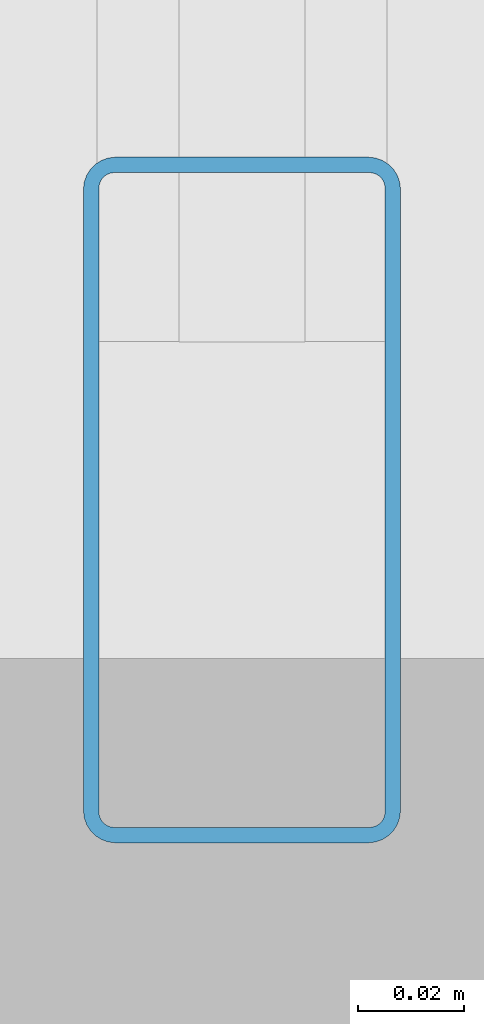
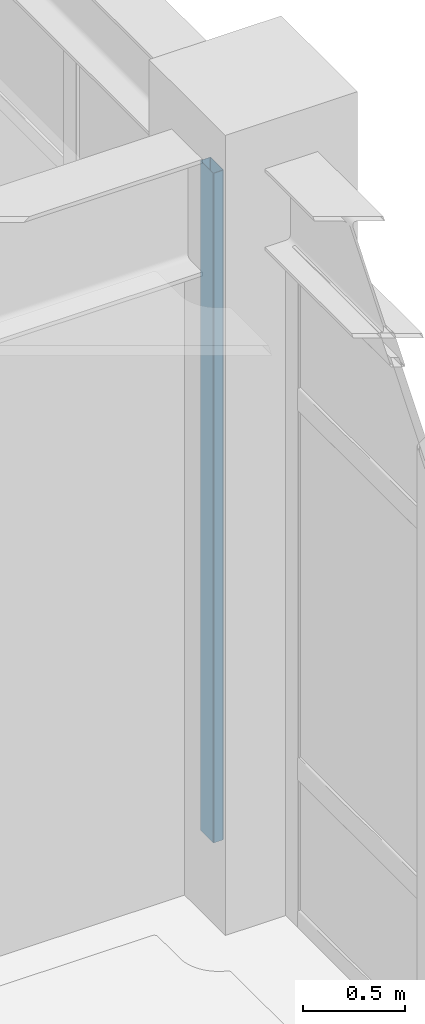
# One storey, part 47 of 98: 1 member, 1 element without a shape of its own.
"""IFC4 building model written with IfcOpenShell, lengths in metres."""

import ifcopenshell
import ifcopenshell.guid

model = None  # the IFC model being written
_history = None  # IfcOwnerHistory: only IFC2X3 demands one
_inside = {}  # id of a spatial element -> (the spatial element, [elements in it])
_under = {}  # id of a project, library or spatial element -> (it, [spatial elements below it])
_declared = {}  # id of a project -> (the project, [libraries it declares])
_typed = {}  # id of a type object -> (the type object, [elements of that type])
_made_of = {}  # id of a material, layer set ... -> (it, [elements and type objects made of it])


def new_model(schema):
    """Start an empty IFC model of exactly this schema.

    Asked for "IFC4X3", IfcOpenShell would pick the latest addendum, in which some entities
    have other attributes; the version numbers below select the first issue.
    IFC2X3 requires an IfcOwnerHistory on every rooted entity: one is made here for all.
    """
    global model, _history
    if schema == "IFC4X3":
        model = ifcopenshell.file(schema_version=(4, 3, 0, 0))
    else:
        model = ifcopenshell.file(schema=schema)
    _inside.clear()
    _under.clear()
    _declared.clear()
    _typed.clear()
    _made_of.clear()
    _history = None
    if model.schema == "IFC2X3":
        org = make("IfcOrganization", Name="unknown")
        user = make(
            "IfcPersonAndOrganization",
            ThePerson=make("IfcPerson", FamilyName="unknown"),
            TheOrganization=org,
        )
        app = make(
            "IfcApplication",
            ApplicationDeveloper=org,
            Version="unknown",
            ApplicationFullName="unknown",
            ApplicationIdentifier="unknown",
        )
        _history = make(
            "IfcOwnerHistory",
            OwningUser=user,
            OwningApplication=app,
            ChangeAction="ADDED",
            CreationDate=0,
        )
    return model


def make(cls, **values):
    """One entity of the class cls with the attributes given. An attribute that is None is left unset."""
    return model.create_entity(
        cls, **{name: value for name, value in values.items() if value is not None}
    )


def rooted(cls, **values):
    """An entity with a GlobalId (a new one), such as an element, a storey or a relation."""
    return make(cls, GlobalId=ifcopenshell.guid.new(), OwnerHistory=_history, **values)


def si_unit(unit_type, name, prefix=None):
    """IfcSIUnit, for example si_unit("LENGTHUNIT", "METRE", prefix="MILLI")."""
    return make("IfcSIUnit", UnitType=unit_type, Prefix=prefix, Name=name)


def assignment(units):
    """IfcUnitAssignment: the units of a project."""
    return None if units is None else make("IfcUnitAssignment", Units=units)


def point(xyz):
    """IfcCartesianPoint."""
    return None if xyz is None else make("IfcCartesianPoint", Coordinates=xyz)


def direction(xyz):
    """IfcDirection."""
    return None if xyz is None else make("IfcDirection", DirectionRatios=xyz)


def frame(location, z_axis=None, x_axis=None):
    """IfcAxis2Placement3D, a coordinate frame: its origin and axes. An axis left out is left unset."""
    return make(
        "IfcAxis2Placement3D",
        Location=point(location),
        Axis=direction(z_axis),
        RefDirection=direction(x_axis),
    )


def frame_2d(location, x_axis=None):
    """IfcAxis2Placement2D, a coordinate frame in the plane: its origin and x axis."""
    return make(
        "IfcAxis2Placement2D", Location=point(location), RefDirection=direction(x_axis)
    )


def origin():
    """The frame at (0, 0, 0) with its axes left unset."""
    return frame((0.0, 0.0, 0.0))


def origin_2d():
    """The frame at (0, 0) in the plane with its x axis left unset."""
    return frame_2d((0.0, 0.0))


def place(relative_to, where):
    """IfcLocalPlacement: puts the frame where relative to a parent placement (None: the world)."""
    return make(
        "IfcLocalPlacement", PlacementRelTo=relative_to, RelativePlacement=where
    )


def context(
    kind, dimensions, precision=None, world=None, true_north=None, identifier=None
):
    """IfcGeometricRepresentationContext, for example the 3D "Model" context."""
    return make(
        "IfcGeometricRepresentationContext",
        ContextIdentifier=identifier,
        ContextType=kind,
        CoordinateSpaceDimension=dimensions,
        Precision=precision,
        WorldCoordinateSystem=world,
        TrueNorth=true_north,
    )


def subcontext(parent, identifier, kind, view, scale=None):
    """IfcGeometricRepresentationSubContext, for example "Body" below "Model"."""
    return make(
        "IfcGeometricRepresentationSubContext",
        ContextIdentifier=identifier,
        ContextType=kind,
        ParentContext=parent,
        TargetScale=scale,
        TargetView=view,
    )


def project(units=None, contexts=None):
    """IfcProject with its units and contexts."""
    return rooted(
        "IfcProject",
        Name="project",
        RepresentationContexts=contexts,
        UnitsInContext=assignment(units),
    )


def spatial(cls, under=None, at=None, **own):
    """A site, building, storey or space (cls), placed at a placement, below another one or the project."""
    s = rooted(cls, ObjectPlacement=at, **own)
    if under is not None:
        _under.setdefault(under.id(), (under, []))[1].append(s)
    return s


def profile(cls, at=None, kind="AREA", **sizes):
    """A parametric profile (cls). Its sizes go by their IFC names, for example OverallWidth=200.0."""
    return make(cls, ProfileType=kind, Position=at, **sizes)


def hollow_rectangle(**sizes):
    """IfcRectangleHollowProfileDef."""
    return profile("IfcRectangleHollowProfileDef", **sizes)


def extrude(swept, where, along, depth):
    """IfcExtrudedAreaSolid: the profile swept, set in the frame where, extruded along a direction by depth."""
    return make(
        "IfcExtrudedAreaSolid",
        SweptArea=swept,
        Position=where,
        ExtrudedDirection=direction(along),
        Depth=depth,
    )


def shape(context_of_items, identifier, shape_type, items):
    """IfcShapeRepresentation: the items that make up one representation, for example the "Body"."""
    return make(
        "IfcShapeRepresentation",
        ContextOfItems=context_of_items,
        RepresentationIdentifier=identifier,
        RepresentationType=shape_type,
        Items=items,
    )


def material(Name=None, Category=None):
    """IfcMaterial."""
    return make("IfcMaterial", Name=Name, Category=Category)


def material_profile(
    of_material, cross_section, Name=None, Category=None, Priority=None
):
    """IfcMaterialProfile: a cross section and its material."""
    return make(
        "IfcMaterialProfile",
        Name=Name,
        Material=of_material,
        Profile=cross_section,
        Priority=Priority,
        Category=Category,
    )


def profile_set(profiles, Name=None, composite=None):
    """IfcMaterialProfileSet."""
    return make(
        "IfcMaterialProfileSet",
        Name=Name,
        MaterialProfiles=profiles,
        CompositeProfile=composite,
    )


def made_of(thing, what):
    """Note that an element or type object is made of a material, layer set ...; save() writes the relation."""
    if what is not None:
        _made_of.setdefault(what.id(), (what, []))[1].append(thing)
    return thing


def type_object(cls, material=None, **own):
    """A type object (cls), such as IfcWallType, which elements share."""
    return made_of(rooted(cls, **own), material)


def element(
    cls,
    number,
    at=None,
    inside=None,
    cuts=None,
    type_object=None,
    material=None,
    context=None,
    identifier="Body",
    shape_type=None,
    held_by="IfcProductDefinitionShape",
    body=None,
    shapes=None,
    **own,
):
    """One element of the class cls, such as IfcWall. Its Tag is "e" and its number.

    at: its placement. inside: the storey or other place that contains it. cuts: it is an
    opening in that element (IfcRelVoidsElement). A single representation is given by context,
    identifier, shape_type and body (its items); several are given by shapes. held_by: the class
    of the entity that holds the representations. save() writes the other relations.
    """
    e = rooted(cls, Tag="e%d" % number, ObjectPlacement=at, **own)
    if body is not None:
        shapes = [shape(context, identifier, shape_type, body)]
    if shapes is not None:
        e.Representation = make(held_by, Representations=shapes)
    if inside is not None:
        _inside.setdefault(inside.id(), (inside, []))[1].append(e)
    if cuts is not None:
        rooted(
            "IfcRelVoidsElement", RelatingBuildingElement=cuts, RelatedOpeningElement=e
        )
    if type_object is not None:
        _typed.setdefault(type_object.id(), (type_object, []))[1].append(e)
    return made_of(e, material)


def aggregate(whole, parts):
    """IfcRelAggregates: a whole, such as a stair, and the parts it consists of."""
    return rooted("IfcRelAggregates", RelatingObject=whole, RelatedObjects=parts)


def save(model, path):
    """Write the relations noted so far, then the file.

    IfcRelAggregates (storeys below a building ...), IfcRelContainedInSpatialStructure (elements
    in a storey), IfcRelDefinesByType, IfcRelAssociatesMaterial and IfcRelDeclares: one each for
    every whole, place, type object, material and project.
    """
    for whole, parts in _under.values():
        aggregate(whole, parts)
    for where, things in _inside.values():
        rooted(
            "IfcRelContainedInSpatialStructure",
            RelatedElements=things,
            RelatingStructure=where,
        )
    for kind, things in _typed.values():
        rooted("IfcRelDefinesByType", RelatedObjects=things, RelatingType=kind)
    for what, things in _made_of.values():
        rooted("IfcRelAssociatesMaterial", RelatedObjects=things, RelatingMaterial=what)
    for by, libraries in _declared.values():
        rooted("IfcRelDeclares", RelatingContext=by, RelatedDefinitions=libraries)
    model.write(path)


model = new_model("IFC4")

# Units and contexts
model_context = context("Model", 3, precision=1e-05, world=origin(), true_north=direction((0.0, 1.0)))
body_context = subcontext(model_context, "Body", "Model", "MODEL_VIEW")
ifc_project = project(units=[si_unit("LENGTHUNIT", "METRE"), si_unit("AREAUNIT", "SQUARE_METRE"), si_unit("VOLUMEUNIT", "CUBIC_METRE"), si_unit("PLANEANGLEUNIT", "RADIAN"), si_unit("MASSUNIT", "GRAM", prefix="KILO")], contexts=[model_context])

# Site, building, storey
site_placement = place(None, origin())
site = spatial("IfcSite", under=ifc_project, at=site_placement, CompositionType="ELEMENT")
building_placement = place(site_placement, origin())
building = spatial("IfcBuilding", under=site, at=building_placement, Name="Canglan Escarpment Cableway Terminal", CompositionType="ELEMENT")
storey_placement = place(building_placement, frame((0.0, 0.0, 9.60009765625)))
storey = spatial("IfcBuildingStorey", under=building, at=storey_placement, Name="L02", CompositionType="ELEMENT", Elevation=9.60009765625)

# Curtain wall, member
ifc_material_1 = material(Name="Anodized bronze aluminium and Low-E double glazing", Category="aluminium")
curtain_wall_type = type_object("IfcCurtainWallType", Name="CW-BAY-8250x4025", PredefinedType="NOTDEFINED", material=ifc_material_1)
curtain_wall_placement = place(storey_placement, origin())
curtain_wall = element("IfcCurtainWall", 1, at=curtain_wall_placement, inside=storey, type_object=curtain_wall_type, Name="Classical bay-between-piers glazed curtain wall CW-43", PredefinedType="NOTDEFINED")
ifc_material_2 = material(Name="Thermally broken anodized aluminium 6063-T6", Category="aluminium")
ifc_material_profile = material_profile(ifc_material_2, hollow_rectangle(XDim=0.06005859375, YDim=0.1298828125, WallThickness=0.0029296875, InnerFilletRadius=0.0029296875, OuterFilletRadius=0.006103515625, at=origin_2d()), Name="ALU-MULL 60x130x3")
ifc_profile_set = profile_set([ifc_material_profile], Name="Thermally broken anodized aluminium 6063-T6")
member_type = type_object("IfcMemberType", Name="CWM-01", PredefinedType="MULLION", material=ifc_profile_set)
member_placement = place(storey_placement, frame((136.699951171875, 70.405029296875, 0.0), z_axis=(0.0, 0.0, 1.0), x_axis=(-1.0, 0.0, 0.0)))
member = element("IfcMember", 2, at=member_placement, type_object=member_type, Name="CW-43 mullion 1", PredefinedType="MULLION", context=body_context, shape_type="SweptSolid", body=[
    extrude(hollow_rectangle(XDim=0.06005859375, YDim=0.1298828125, WallThickness=0.0029296875, InnerFilletRadius=0.0029296875, OuterFilletRadius=0.006103515625, at=origin_2d()), origin(), (0.0, 0.0, 1.0), 4.016845703125),
])
aggregate(curtain_wall, [member])

save(model, "model.ifc")
